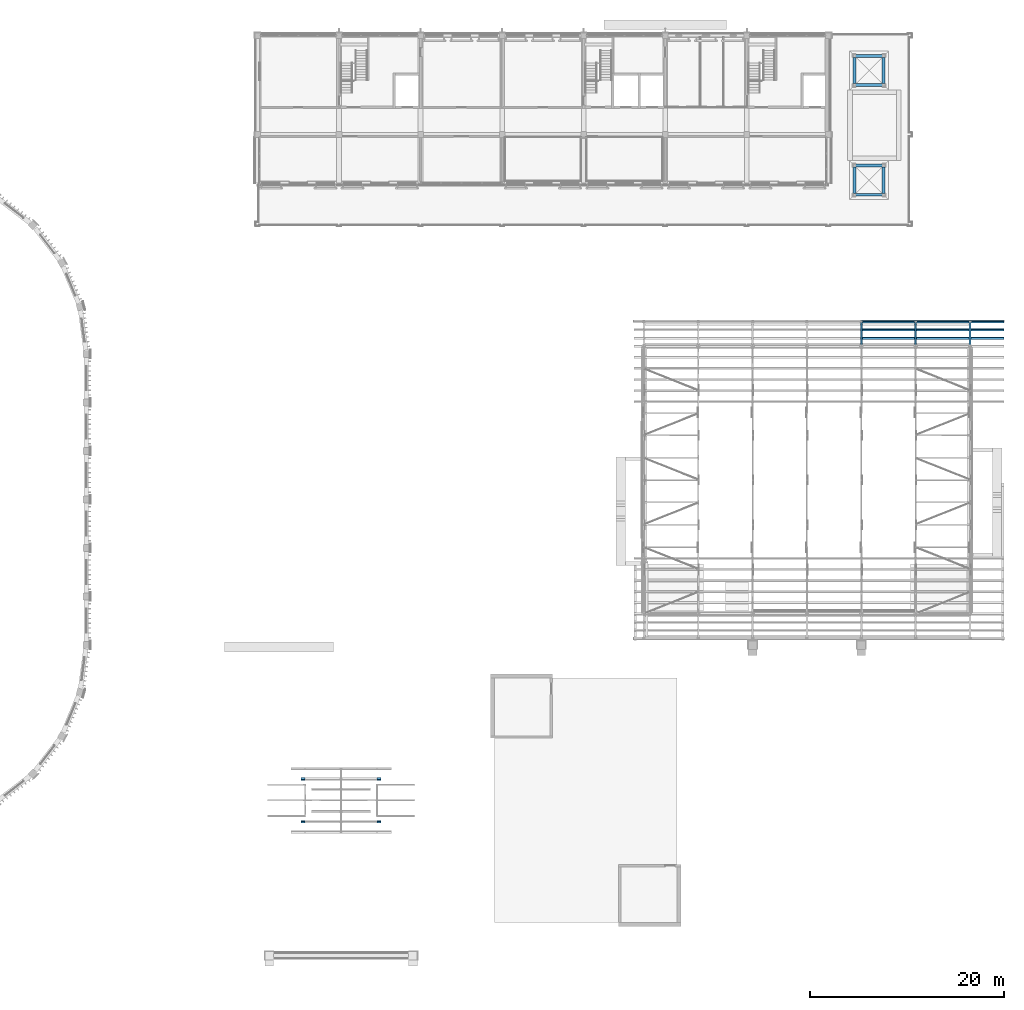
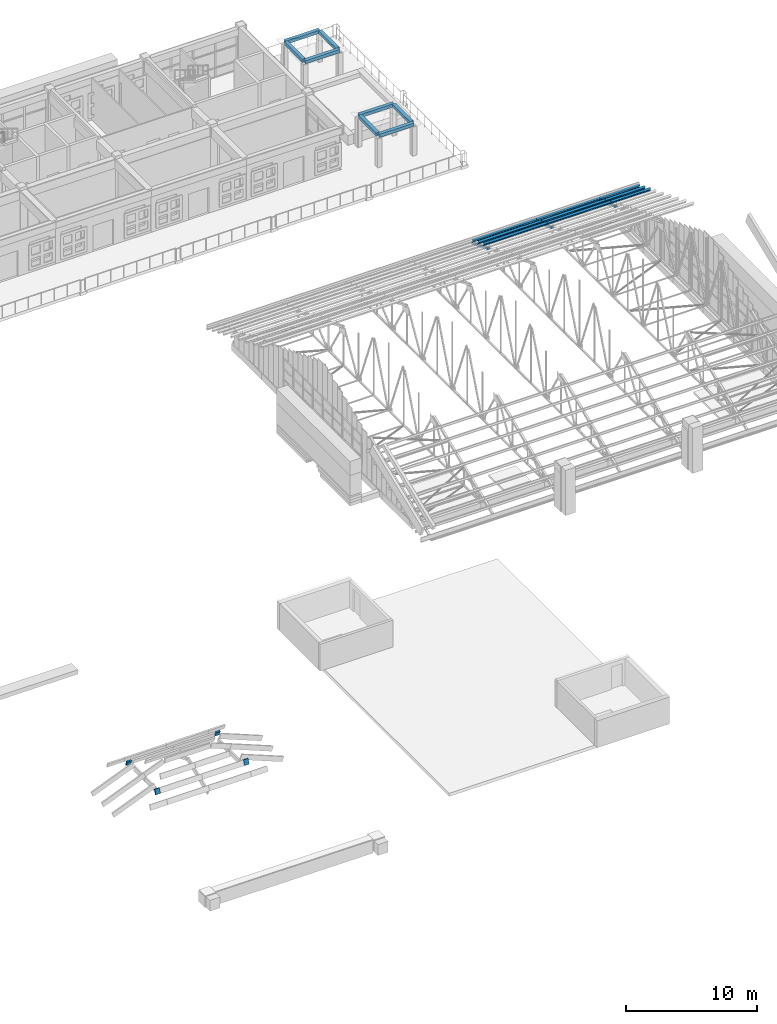
# One storey, part 28 of 71: 16 members, 8 beams.
"""IFC4 building model written with IfcOpenShell, lengths in metres."""

from ifc_helpers import new_model, si_unit, direction, frame, origin, origin_2d, place, context, subcontext, project, spatial, rectangle, hollow_rectangle, i_section, extrude, material, material_profile, profile_set, type_object, element, save


model = new_model("IFC4")

# Units and contexts
model_context = context("Model", 3, precision=1e-05, world=origin(), true_north=direction((0.0, 1.0)))
body_context = subcontext(model_context, "Body", "Model", "MODEL_VIEW")
ifc_project = project(units=[si_unit("LENGTHUNIT", "METRE"), si_unit("AREAUNIT", "SQUARE_METRE"), si_unit("VOLUMEUNIT", "CUBIC_METRE"), si_unit("PLANEANGLEUNIT", "RADIAN"), si_unit("MASSUNIT", "GRAM", prefix="KILO")], contexts=[model_context])

# Site, building, storey
site_placement = place(None, origin())
site = spatial("IfcSite", under=ifc_project, at=site_placement, CompositionType="ELEMENT")
building_placement = place(site_placement, origin())
building = spatial("IfcBuilding", under=site, at=building_placement, Name="Wasatch Bagh Community Centre", CompositionType="ELEMENT")
storey_placement = place(building_placement, frame((0.0, 0.0, 12.60009765625)))
storey = spatial("IfcBuildingStorey", under=building, at=storey_placement, Name="L03", CompositionType="ELEMENT", Elevation=12.60009765625)

# Members
ifc_material_1 = material(Name="Glulam 24F-V4 Douglas fir-larch", Category="wood")
ifc_material_profile_1 = material_profile(ifc_material_1, rectangle(XDim=0.130126953125, YDim=0.457275390625, at=origin_2d()), Name="GL 130x457")
ifc_profile_set_1 = profile_set([ifc_material_profile_1], Name="Glulam 24F-V4 Douglas fir-larch")
member_type_1 = type_object("IfcMemberType", Name="DH GL 130x457 purlin", PredefinedType="PURLIN", material=ifc_profile_set_1)
for number, where, z_axis, x_axis, name in (
    (1, (76.8857421875, 16.800048828125, 0.786376953125), (1.0, 0.0, 0.0), (0.0, 0.927183854567, -0.374606593416), "DH.PUR.S13.1"),
    (2, (84.699951171875, 16.800048828125, 0.786376953125), (1.0, 0.0, 0.0), (0.0, 0.927183854567, -0.374606593416), "DH.PUR.S13.4"),
    (3, (76.8857421875, 21.199951171875, 0.786376953125), (1.0, 0.0, 0.0), (0.0, 0.927183854567, 0.374606593416), "DH.PUR.N13.1"),
    (4, (84.699951171875, 21.199951171875, 0.786376953125), (1.0, 0.0, 0.0), (0.0, 0.927183854567, 0.374606593416), "DH.PUR.N13.4"),
):
    element("IfcMember", number, at=place(storey_placement, frame(where, z_axis=z_axis, x_axis=x_axis)), inside=storey, type_object=member_type_1, Name=name, PredefinedType="PURLIN", context=body_context, shape_type="SweptSolid", body=[
        extrude(rectangle(XDim=0.130126953125, YDim=0.457275390625, at=origin_2d()), origin(), (0.0, 0.0, 1.0), 0.414306640625),
    ])

# Beams
ifc_material_2 = material(Name="Concrete C35", Category="concrete")
ifc_material_profile_2 = material_profile(ifc_material_2, rectangle(XDim=0.300048828125, YDim=0.300048828125, at=origin_2d()), Name="RC 300x300")
ifc_profile_set_2 = profile_set([ifc_material_profile_2], Name="Concrete C35")
beam_type = type_object("IfcBeamType", Name="LW pavilion ring beam 300", PredefinedType="BEAM", material=ifc_profile_set_2)
for number, where, z_axis, x_axis, name in (
    (5, (133.89990234375, 81.39990234375, 2.849853515625), (1.0, 0.0, 0.0), (0.0, 1.0, 0.0), "Shade pavilion 3 ring beam"),
    (6, (133.89990234375, 84.39990234375, 2.849853515625), (1.0, 0.0, 0.0), (0.0, 1.0, 0.0), "Shade pavilion 3 ring beam"),
):
    element("IfcBeam", number, at=place(storey_placement, frame(where, z_axis=z_axis, x_axis=x_axis)), inside=storey, type_object=beam_type, Name=name, PredefinedType="BEAM", context=body_context, shape_type="SweptSolid", body=[
        extrude(rectangle(XDim=0.300048828125, YDim=0.300048828125, at=origin_2d()), origin(), (0.0, 0.0, 1.0), 3.0),
    ])
for number, where, z_axis, x_axis, name in (
    (7, (133.89990234375, 81.550048828125, 2.849853515625), (0.0, 1.0, 0.0), (-1.0, 0.0, 0.0), "Shade pavilion 3 ring beam"),
    (8, (136.89990234375, 81.550048828125, 2.849853515625), (0.0, 1.0, 0.0), (-1.0, 0.0, 0.0), "Shade pavilion 3 ring beam"),
):
    element("IfcBeam", number, at=place(storey_placement, frame(where, z_axis=z_axis, x_axis=x_axis)), inside=storey, type_object=beam_type, Name=name, PredefinedType="BEAM", context=body_context, shape_type="SweptSolid", body=[
        extrude(rectangle(XDim=0.300048828125, YDim=0.300048828125, at=origin_2d()), origin(), (0.0, 0.0, 1.0), 2.699951171875),
    ])
for number, where, z_axis, x_axis, name in (
    (9, (133.89990234375, 92.699951171875, 2.849853515625), (1.0, 0.0, 0.0), (0.0, 1.0, 0.0), "Shade pavilion 4 ring beam"),
    (10, (133.89990234375, 95.699951171875, 2.849853515625), (1.0, 0.0, 0.0), (0.0, 1.0, 0.0), "Shade pavilion 4 ring beam"),
):
    element("IfcBeam", number, at=place(storey_placement, frame(where, z_axis=z_axis, x_axis=x_axis)), inside=storey, type_object=beam_type, Name=name, PredefinedType="BEAM", context=body_context, shape_type="SweptSolid", body=[
        extrude(rectangle(XDim=0.300048828125, YDim=0.300048828125, at=origin_2d()), origin(), (0.0, 0.0, 1.0), 3.0),
    ])
for number, where, z_axis, x_axis, name in (
    (11, (133.89990234375, 92.85009765625, 2.849853515625), (0.0, 1.0, 0.0), (-1.0, 0.0, 0.0), "Shade pavilion 4 ring beam"),
    (12, (136.89990234375, 92.85009765625, 2.849853515625), (0.0, 1.0, 0.0), (-1.0, 0.0, 0.0), "Shade pavilion 4 ring beam"),
):
    element("IfcBeam", number, at=place(storey_placement, frame(where, z_axis=z_axis, x_axis=x_axis)), inside=storey, type_object=beam_type, Name=name, PredefinedType="BEAM", context=body_context, shape_type="SweptSolid", body=[
        extrude(rectangle(XDim=0.300048828125, YDim=0.300048828125, at=origin_2d()), origin(), (0.0, 0.0, 1.0), 2.699951171875),
    ])

# Members
ifc_material_3 = material(Name="ASTM A500 Grade C steel", Category="steel")
ifc_material_profile_3 = material_profile(ifc_material_3, hollow_rectangle(XDim=0.203125, YDim=0.203125, WallThickness=0.01171875, InnerFilletRadius=0.01171875, OuterFilletRadius=0.023681640625, at=origin_2d()), Name="HSS8x8x1/2")
ifc_profile_set_3 = profile_set([ifc_material_profile_3], Name="ASTM A500 Grade C steel")
member_type_2 = type_object("IfcMemberType", Name="SH HSS8x8x1/2 chord", PredefinedType="CHORD", material=ifc_profile_set_3)
for number, where, z_axis, x_axis, name in (
    (13, (134.60009765625, 65.800537109375, 1.500244140625), (0.0, 0.927165625561, -0.374651708629), (-1.0, 0.0, 0.0), "SH.SA5.TC14"),
    (14, (140.199951171875, 65.800537109375, 1.500244140625), (0.0, 0.927165625561, -0.374651708629), (-1.0, 0.0, 0.0), "SH.SA6.TC14"),
    (15, (145.800048828125, 65.800537109375, 1.500244140625), (0.0, 0.927165625561, -0.374651708629), (-1.0, 0.0, 0.0), "SH.SA7.TC14"),
):
    element("IfcMember", number, at=place(storey_placement, frame(where, z_axis=z_axis, x_axis=x_axis)), inside=storey, type_object=member_type_2, Name=name, PredefinedType="CHORD", context=body_context, shape_type="SweptSolid", body=[
        extrude(hollow_rectangle(XDim=0.203125, YDim=0.203125, WallThickness=0.01171875, InnerFilletRadius=0.01171875, OuterFilletRadius=0.023681640625, at=origin_2d()), origin(), (0.0, 0.0, 1.0), 2.69580078125),
    ])
ifc_material_4 = material(Name="ASTM A992 Grade 50 steel", Category="steel")
ifc_material_profile_4 = material_profile(ifc_material_4, i_section(OverallWidth=0.203125, OverallDepth=0.203125, WebThickness=0.00732421875, FlangeThickness=0.010986328125, at=origin_2d()), Name="W8x31")
ifc_profile_set_4 = profile_set([ifc_material_profile_4], Name="ASTM A992 Grade 50 steel")
member_type_3 = type_object("IfcMemberType", Name="SH W8x31 purlin", PredefinedType="PURLIN", material=ifc_profile_set_4)
for number, where, z_axis, x_axis, name in (
    (16, (134.60009765625, 66.63330078125, 1.3828125), (1.0, 0.0, 0.0), (0.0, 0.927183854567, 0.374606593416), "SH.PUR.b5.PU29"),
    (17, (134.60009765625, 67.466552734375, 1.046142578125), (1.0, 0.0, 0.0), (0.0, 0.927183854567, 0.374606593416), "SH.PUR.b5.PU30"),
    (18, (134.60009765625, 68.300048828125, 0.70947265625), (1.0, 0.0, 0.0), (0.0, 0.927183854567, 0.374606593416), "SH.PUR.b5.PU31"),
):
    element("IfcMember", number, at=place(storey_placement, frame(where, z_axis=z_axis, x_axis=x_axis)), inside=storey, type_object=member_type_3, Name=name, PredefinedType="PURLIN", context=body_context, shape_type="SweptSolid", body=[
        extrude(i_section(OverallWidth=0.203125, OverallDepth=0.203125, WebThickness=0.00732421875, FlangeThickness=0.010986328125, at=origin_2d()), origin(), (0.0, 0.0, 1.0), 5.599853515625),
    ])
for number, where, z_axis, x_axis, name in (
    (19, (140.199951171875, 66.63330078125, 1.3828125), (1.0, 0.0, 0.0), (0.0, 0.927183854567, 0.374606593416), "SH.PUR.b6.PU29"),
    (20, (140.199951171875, 67.466552734375, 1.046142578125), (1.0, 0.0, 0.0), (0.0, 0.927183854567, 0.374606593416), "SH.PUR.b6.PU30"),
    (21, (140.199951171875, 68.300048828125, 0.70947265625), (1.0, 0.0, 0.0), (0.0, 0.927183854567, 0.374606593416), "SH.PUR.b6.PU31"),
):
    element("IfcMember", number, at=place(storey_placement, frame(where, z_axis=z_axis, x_axis=x_axis)), inside=storey, type_object=member_type_3, Name=name, PredefinedType="PURLIN", context=body_context, shape_type="SweptSolid", body=[
        extrude(i_section(OverallWidth=0.203125, OverallDepth=0.203125, WebThickness=0.00732421875, FlangeThickness=0.010986328125, at=origin_2d()), origin(), (0.0, 0.0, 1.0), 5.60009765625),
    ])
for number, where, z_axis, x_axis, name in (
    (22, (145.800048828125, 66.63330078125, 1.3828125), (1.0, 0.0, 0.0), (0.0, 0.927183854567, 0.374606593416), "SH.PUR.v2.PU29"),
    (23, (145.800048828125, 67.466552734375, 1.046142578125), (1.0, 0.0, 0.0), (0.0, 0.927183854567, 0.374606593416), "SH.PUR.v2.PU30"),
    (24, (145.800048828125, 68.300048828125, 0.70947265625), (1.0, 0.0, 0.0), (0.0, 0.927183854567, 0.374606593416), "SH.PUR.v2.PU31"),
):
    element("IfcMember", number, at=place(storey_placement, frame(where, z_axis=z_axis, x_axis=x_axis)), inside=storey, type_object=member_type_3, Name=name, PredefinedType="PURLIN", context=body_context, shape_type="SweptSolid", body=[
        extrude(i_section(OverallWidth=0.203125, OverallDepth=0.203125, WebThickness=0.00732421875, FlangeThickness=0.010986328125, at=origin_2d()), origin(), (0.0, 0.0, 1.0), 3.5),
    ])

save(model, "model.ifc")
